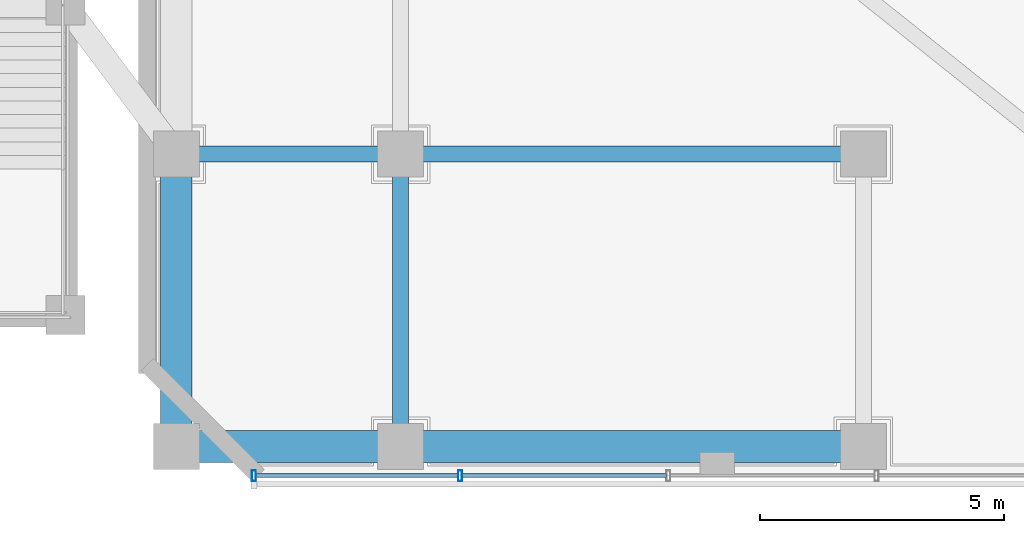
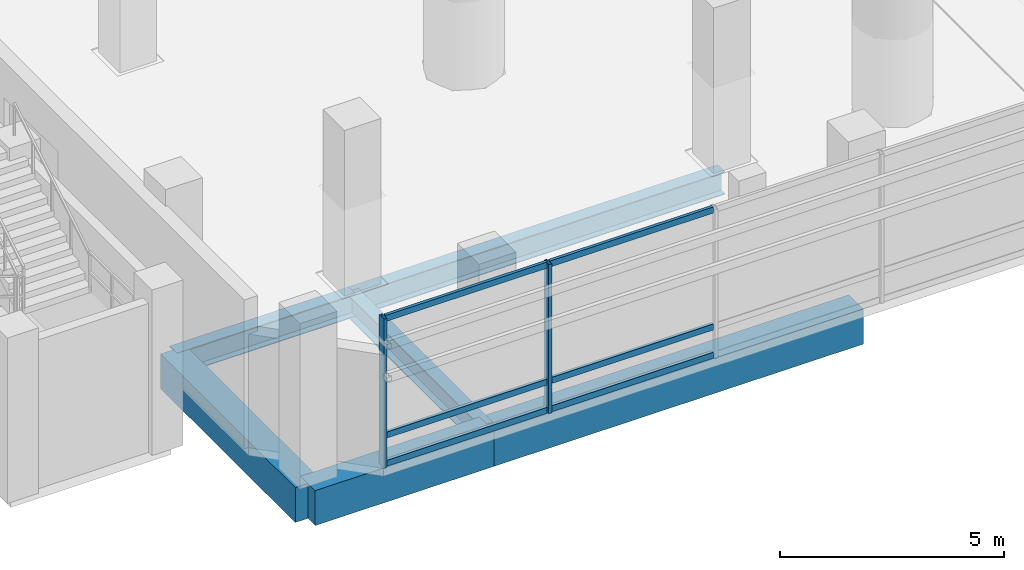
# One storey, part 2 of 36: 8 members, 6 beams, 1 element without a shape of its own.
"""IFC4 building model written with IfcOpenShell, lengths in metres."""

from ifc_helpers import new_model, si_unit, direction, frame, origin, origin_2d, place, context, subcontext, project, spatial, rectangle, hollow_rectangle, i_section, extrude, source, transform, mapped, material, material_profile, profile_set, type_object, element, aggregate, save


model = new_model("IFC4")

# Units and contexts
model_context = context("Model", 3, precision=1e-05, world=origin(), true_north=direction((-0.2419218956, 0.970295726276)))
body_context = subcontext(model_context, "Body", "Model", "MODEL_VIEW")
ifc_project = project(units=[si_unit("LENGTHUNIT", "METRE"), si_unit("AREAUNIT", "SQUARE_METRE"), si_unit("VOLUMEUNIT", "CUBIC_METRE"), si_unit("PLANEANGLEUNIT", "RADIAN"), si_unit("MASSUNIT", "GRAM", prefix="KILO")], contexts=[model_context])

# Site, building, storey
site_placement = place(None, origin())
site = spatial("IfcSite", under=ifc_project, at=site_placement, CompositionType="ELEMENT")
building_placement = place(site_placement, origin())
building = spatial("IfcBuilding", under=site, at=building_placement, Name="Cobrevalo Terracotta Tower", CompositionType="ELEMENT")
storey_placement = place(building_placement, frame((0.0, 0.0, 14.39990234375)))
storey = spatial("IfcBuildingStorey", under=building, at=storey_placement, Name="L03", CompositionType="ELEMENT", Elevation=14.39990234375)

# Beams
ifc_material_1 = material(Name="Steel S355", Category="steel")
ifc_material_profile_1 = material_profile(ifc_material_1, i_section(OverallWidth=0.324951171875, OverallDepth=0.615966796875, WebThickness=0.013916015625, FlangeThickness=0.021484375, at=origin_2d()), Name="W 610x174")
ifc_profile_set_1 = profile_set([ifc_material_profile_1], Name="Steel S355")
beam_type_1 = type_object("IfcBeamType", Name="Structural Beam W 610x174 (Steel S355)", PredefinedType="BEAM", material=ifc_profile_set_1)
beam_1_placement = place(storey_placement, frame((4.39990234375, 8.800048828125, -0.60791015625), z_axis=(1.0, 0.0, 0.0), x_axis=(0.0, 1.0, 0.0)))
element("IfcBeam", 1, at=beam_1_placement, inside=storey, type_object=beam_type_1, Name="L03 podium grid beam G1-GB to G2-GB", PredefinedType="BEAM", context=body_context, shape_type="SweptSolid", body=[
    extrude(i_section(OverallWidth=0.324951171875, OverallDepth=0.615966796875, WebThickness=0.013916015625, FlangeThickness=0.021484375, at=origin_2d()), origin(), (0.0, 0.0, 1.0), 4.60009765625),
])
beam_2_placement = place(storey_placement, frame((9.0, 2.800048828125, -0.60791015625), z_axis=(0.0, 1.0, 0.0), x_axis=(-1.0, 0.0, 0.0)))
element("IfcBeam", 2, at=beam_2_placement, inside=storey, type_object=beam_type_1, Name="L03 podium grid beam G2-GA to G2-GB", PredefinedType="BEAM", context=body_context, shape_type="SweptSolid", body=[
    extrude(i_section(OverallWidth=0.324951171875, OverallDepth=0.615966796875, WebThickness=0.013916015625, FlangeThickness=0.021484375, at=origin_2d()), origin(), (0.0, 0.0, 1.0), 6.0),
])
beam_3_placement = place(storey_placement, frame((9.0, 8.800048828125, -0.60791015625), z_axis=(1.0, 0.0, 0.0), x_axis=(0.0, 1.0, 0.0)))
element("IfcBeam", 3, at=beam_3_placement, inside=storey, type_object=beam_type_1, Name="L03 podium grid beam G2-GB to G3-GB", PredefinedType="BEAM", context=body_context, shape_type="SweptSolid", body=[
    extrude(i_section(OverallWidth=0.324951171875, OverallDepth=0.615966796875, WebThickness=0.013916015625, FlangeThickness=0.021484375, at=origin_2d()), origin(), (0.0, 0.0, 1.0), 9.5),
])
ifc_material_2 = material(Name="Concrete C50", Category="concrete")
ifc_material_profile_2 = material_profile(ifc_material_2, rectangle(XDim=0.64990234375, YDim=0.949951171875, at=origin_2d()), Name="RC BM 650x950")
ifc_profile_set_2 = profile_set([ifc_material_profile_2], Name="Concrete C50")
beam_type_2 = type_object("IfcBeamType", Name="Structural Spandrel RC BM 650x950 (Concrete C50)", PredefinedType="SPANDREL", material=ifc_profile_set_2)
beam_4_placement = place(storey_placement, frame((4.39990234375, 2.800048828125, -0.77490234375), z_axis=(0.0, 1.0, 0.0), x_axis=(-1.0, 0.0, 0.0)))
element("IfcBeam", 4, at=beam_4_placement, inside=storey, type_object=beam_type_2, Name="L03 podium grid beam G1-GA to G1-GB", PredefinedType="SPANDREL", context=body_context, shape_type="SweptSolid", body=[
    extrude(rectangle(XDim=0.64990234375, YDim=0.949951171875, at=origin_2d()), origin(), (0.0, 0.0, 1.0), 6.0),
])
beam_5_placement = place(storey_placement, frame((4.39990234375, 2.800048828125, -0.77490234375), z_axis=(1.0, 0.0, 0.0), x_axis=(0.0, 1.0, 0.0)))
element("IfcBeam", 5, at=beam_5_placement, inside=storey, type_object=beam_type_2, Name="L03 podium grid beam G1-GA to G2-GA", PredefinedType="SPANDREL", context=body_context, shape_type="SweptSolid", body=[
    extrude(rectangle(XDim=0.64990234375, YDim=0.949951171875, at=origin_2d()), origin(), (0.0, 0.0, 1.0), 4.60009765625),
])
beam_6_placement = place(storey_placement, frame((9.0, 2.800048828125, -0.77490234375), z_axis=(1.0, 0.0, 0.0), x_axis=(0.0, 1.0, 0.0)))
element("IfcBeam", 6, at=beam_6_placement, inside=storey, type_object=beam_type_2, Name="L03 podium grid beam G2-GA to G3-GA", PredefinedType="SPANDREL", context=body_context, shape_type="SweptSolid", body=[
    extrude(rectangle(XDim=0.64990234375, YDim=0.949951171875, at=origin_2d()), origin(), (0.0, 0.0, 1.0), 9.5),
])

# Curtain wall, members
ifc_material_3 = material(Name="Anodized aluminium", Category="aluminium")
curtain_wall_type = type_object("IfcCurtainWallType", Name="Podium gallery & conservatory curtain wall CW-S2", PredefinedType="NOTDEFINED", material=ifc_material_3)
curtain_wall_placement = place(storey_placement, origin())
curtain_wall = element("IfcCurtainWall", 7, at=curtain_wall_placement, inside=storey, type_object=curtain_wall_type, Name="L03 curtain wall CW-POD-L03-S", PredefinedType="NOTDEFINED")
ifc_material_profile_3 = material_profile(ifc_material_3, hollow_rectangle(XDim=0.080078125, YDim=0.1650390625, WallThickness=0.00439453125, at=origin_2d()), Name="CWT 80x165")
ifc_profile_set_3 = profile_set([ifc_material_profile_3], Name="Anodized aluminium")
member_type_1 = type_object("IfcMemberType", Name="Storefront & atrium aluminium transom 80x165", PredefinedType="USERDEFINED", material=ifc_profile_set_3)
shared_shape_1 = source(origin(), body_context, "Body", "SweptSolid", [
    extrude(hollow_rectangle(XDim=0.080078125, YDim=0.1650390625, WallThickness=0.00439453125, at=origin_2d()), origin(), (0.0, 0.0, 1.0), 4.1533203125),
])
member_1_placement = place(storey_placement, frame((6.030029296875, 2.199951171875, 0.050048828125), z_axis=(1.0, 0.0, 0.0), x_axis=(0.0, 1.0, 0.0)))
member_1 = element("IfcMember", 8, at=member_1_placement, type_object=member_type_1, Name="CW-POD-L03-S transom B01-T1", ObjectType="TRANSOM", PredefinedType="USERDEFINED", context=body_context, shape_type="MappedRepresentation", body=[
    mapped(shared_shape_1, transform((0.0, 0.0, 0.0), scale=1.0)),
])
member_2_placement = place(storey_placement, frame((6.030029296875, 2.199951171875, 0.820068359375), z_axis=(1.0, 0.0, 0.0), x_axis=(0.0, 1.0, 0.0)))
member_2 = element("IfcMember", 9, at=member_2_placement, type_object=member_type_1, Name="CW-POD-L03-S transom B01-T2", ObjectType="TRANSOM", PredefinedType="USERDEFINED", context=body_context, shape_type="MappedRepresentation", body=[
    mapped(shared_shape_1, transform((0.0, 0.0, 0.0), scale=1.0)),
])
member_3_placement = place(storey_placement, frame((6.030029296875, 2.199951171875, 4.0), z_axis=(1.0, 0.0, 0.0), x_axis=(0.0, 1.0, 0.0)))
member_3 = element("IfcMember", 10, at=member_3_placement, type_object=member_type_1, Name="CW-POD-L03-S transom B01-T3", ObjectType="TRANSOM", PredefinedType="USERDEFINED", context=body_context, shape_type="MappedRepresentation", body=[
    mapped(shared_shape_1, transform((0.0, 0.0, 0.0), scale=1.0)),
])
shared_shape_2 = source(origin(), body_context, "Body", "SweptSolid", [
    extrude(hollow_rectangle(XDim=0.080078125, YDim=0.1650390625, WallThickness=0.00439453125, at=origin_2d()), origin(), (0.0, 0.0, 1.0), 4.193359375),
])
member_4_placement = place(storey_placement, frame((10.263427734375, 2.199951171875, 0.050048828125), z_axis=(1.0, 0.0, 0.0), x_axis=(0.0, 1.0, 0.0)))
member_4 = element("IfcMember", 11, at=member_4_placement, type_object=member_type_1, Name="CW-POD-L03-S transom B02-T1", ObjectType="TRANSOM", PredefinedType="USERDEFINED", context=body_context, shape_type="MappedRepresentation", body=[
    mapped(shared_shape_2, transform((0.0, 0.0, 0.0), scale=1.0)),
])
member_5_placement = place(storey_placement, frame((10.263427734375, 2.199951171875, 0.820068359375), z_axis=(1.0, 0.0, 0.0), x_axis=(0.0, 1.0, 0.0)))
member_5 = element("IfcMember", 12, at=member_5_placement, type_object=member_type_1, Name="CW-POD-L03-S transom B02-T2", ObjectType="TRANSOM", PredefinedType="USERDEFINED", context=body_context, shape_type="MappedRepresentation", body=[
    mapped(shared_shape_2, transform((0.0, 0.0, 0.0), scale=1.0)),
])
member_6_placement = place(storey_placement, frame((10.263427734375, 2.199951171875, 4.0), z_axis=(1.0, 0.0, 0.0), x_axis=(0.0, 1.0, 0.0)))
member_6 = element("IfcMember", 13, at=member_6_placement, type_object=member_type_1, Name="CW-POD-L03-S transom B02-T3", ObjectType="TRANSOM", PredefinedType="USERDEFINED", context=body_context, shape_type="MappedRepresentation", body=[
    mapped(shared_shape_2, transform((0.0, 0.0, 0.0), scale=1.0)),
])
ifc_material_profile_4 = material_profile(ifc_material_3, hollow_rectangle(XDim=0.080078125, YDim=0.219970703125, WallThickness=0.0048828125, at=origin_2d()), Name="CWM 80x220")
ifc_profile_set_4 = profile_set([ifc_material_profile_4], Name="Anodized aluminium")
member_type_2 = type_object("IfcMemberType", Name="Storefront & atrium aluminium mullion 80x220", PredefinedType="MULLION", material=ifc_profile_set_4)
shared_shape_3 = source(origin(), body_context, "Body", "SweptSolid", [
    extrude(hollow_rectangle(XDim=0.080078125, YDim=0.219970703125, WallThickness=0.0048828125, at=origin_2d()), origin(), (0.0, 0.0, 1.0), 4.050048828125),
])
member_7_placement = place(storey_placement, frame((5.989990234375, 2.199951171875, 0.0), z_axis=(0.0, 0.0, 1.0), x_axis=(1.0, 0.0, 0.0)))
member_7 = element("IfcMember", 14, at=member_7_placement, type_object=member_type_2, Name="CW-POD-L03-S vertical mullion 01", PredefinedType="MULLION", context=body_context, shape_type="MappedRepresentation", body=[
    mapped(shared_shape_3, transform((0.0, 0.0, 0.0), scale=1.0)),
])
member_8_placement = place(storey_placement, frame((10.223388671875, 2.199951171875, 0.0), z_axis=(0.0, 0.0, 1.0), x_axis=(1.0, 0.0, 0.0)))
member_8 = element("IfcMember", 15, at=member_8_placement, type_object=member_type_2, Name="CW-POD-L03-S vertical mullion 02", PredefinedType="MULLION", context=body_context, shape_type="MappedRepresentation", body=[
    mapped(shared_shape_3, transform((0.0, 0.0, 0.0), scale=1.0)),
])
aggregate(curtain_wall, [member_7, member_8, member_1, member_2, member_3, member_4, member_5, member_6])

save(model, "model.ifc")
